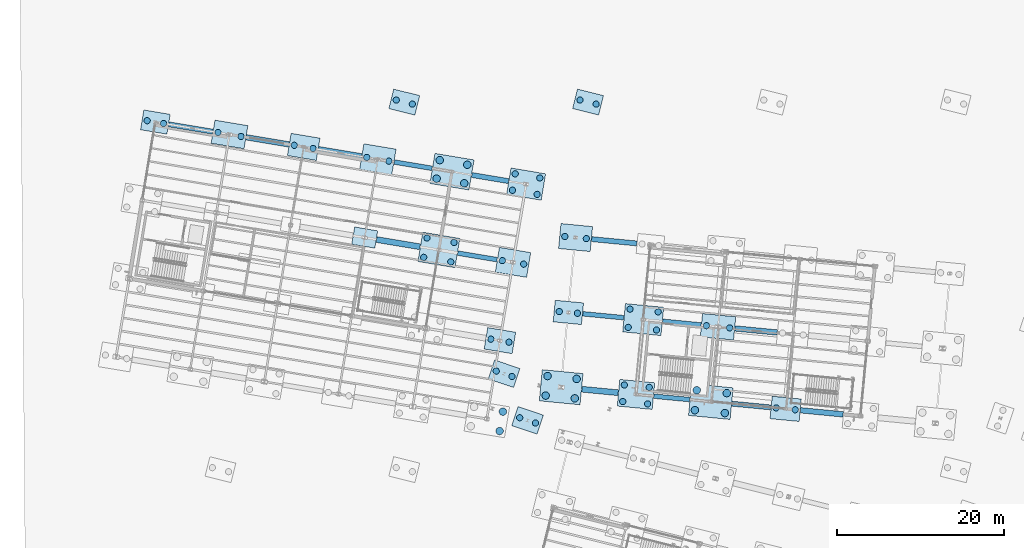
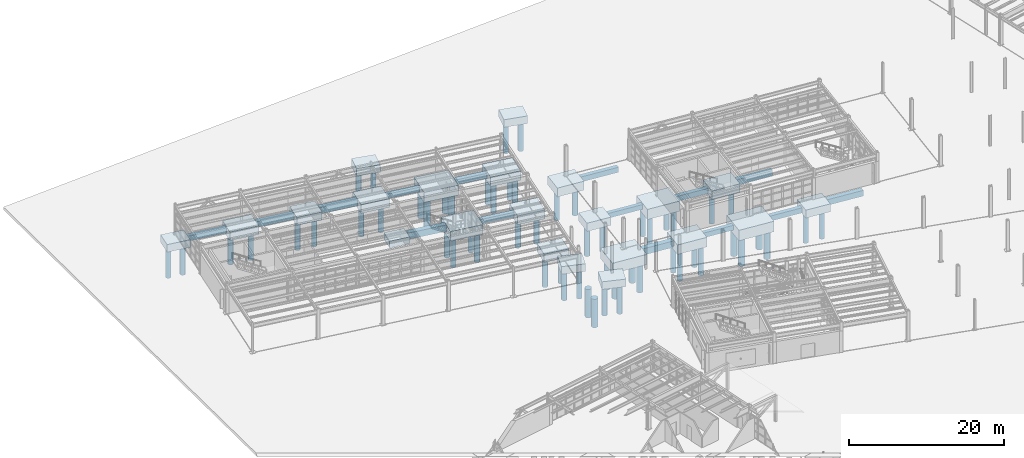
# One storey, part 5 of 108: 58 piles, 37 footings.
"""IFC4 building model written with IfcOpenShell, lengths in metres."""

from ifc_helpers import new_model, si_unit, direction, frame, origin, origin_2d, place, context, subcontext, project, spatial, rectangle, circle, extrude, material, material_profile, profile_set, type_object, element, save


model = new_model("IFC4")

# Units and contexts
model_context = context("Model", 3, precision=1e-05, world=origin(), true_north=direction((0.0, 1.0)))
body_context = subcontext(model_context, "Body", "Model", "MODEL_VIEW")
ifc_project = project(units=[si_unit("LENGTHUNIT", "METRE"), si_unit("AREAUNIT", "SQUARE_METRE"), si_unit("VOLUMEUNIT", "CUBIC_METRE"), si_unit("PLANEANGLEUNIT", "RADIAN"), si_unit("MASSUNIT", "GRAM", prefix="KILO")], contexts=[model_context])

# Site, building, storey
site_placement = place(None, origin())
site = spatial("IfcSite", under=ifc_project, at=site_placement, CompositionType="ELEMENT")
building_placement = place(site_placement, origin())
building = spatial("IfcBuilding", under=site, at=building_placement, Name="Vireo Bluff Cable Station", CompositionType="ELEMENT")
storey_placement = place(building_placement, origin())
storey = spatial("IfcBuildingStorey", under=building, at=storey_placement, Name="L00", CompositionType="ELEMENT", Elevation=0.0)

# Piles
ifc_material_1 = material(Name="Concrete f'c 45 MPa", Category="concrete")
ifc_material_profile_1 = material_profile(ifc_material_1, circle(Radius=0.375, at=origin_2d()), Name="BOREDPILE-750")
ifc_profile_set_1 = profile_set([ifc_material_profile_1], Name="Concrete f'c 45 MPa")
pile_type_1 = type_object("IfcPileType", Name="BOREDPILE-750", PredefinedType="BORED", material=ifc_profile_set_1)
for number, where, z_axis, x_axis, name in (
    (1, (58.55224609375, 76.929931640625, -1.659912109375), (0.0, 0.0, -1.0), (1.0, 0.0, 0.0), "V3 rock-socketed bored pile 149"),
    (2, (60.732177734375, 76.72021484375, -1.659912109375), (0.0, 0.0, -1.0), (1.0, 0.0, 0.0), "V3 rock-socketed bored pile 150"),
):
    element("IfcPile", number, at=place(storey_placement, frame(where, z_axis=z_axis, x_axis=x_axis)), inside=storey, type_object=pile_type_1, Name=name, PredefinedType="BORED", context=body_context, shape_type="SweptSolid", body=[
        extrude(circle(Radius=0.375, at=origin_2d()), origin(), (0.0, 0.0, 1.0), 4.840087890625),
    ])
for number, where, z_axis, x_axis, name in (
    (3, (59.2158203125, 85.90771484375, -1.760009765625), (0.0, 0.0, -1.0), (1.0, 0.0, 0.0), "V3 rock-socketed bored pile 151"),
    (4, (61.793701171875, 85.659423828125, -1.760009765625), (0.0, 0.0, -1.0), (1.0, 0.0, 0.0), "V3 rock-socketed bored pile 152"),
):
    element("IfcPile", number, at=place(storey_placement, frame(where, z_axis=z_axis, x_axis=x_axis)), inside=storey, type_object=pile_type_1, Name=name, PredefinedType="BORED", context=body_context, shape_type="SweptSolid", body=[
        extrude(circle(Radius=0.375, at=origin_2d()), origin(), (0.0, 0.0, 1.0), 4.739990234375),
    ])
for number, where, z_axis, x_axis, name in (
    (5, (66.154541015625, 66.15673828125, -1.860107421875), (0.0, 0.0, -1.0), (1.0, 0.0, 0.0), "V3 rock-socketed bored pile 153"),
    (6, (69.130859375, 65.8701171875, -1.860107421875), (0.0, 0.0, -1.0), (1.0, 0.0, 0.0), "V3 rock-socketed bored pile 154"),
    (7, (69.321533203125, 67.85107421875, -1.860107421875), (0.0, 0.0, -1.0), (1.0, 0.0, 0.0), "V3 rock-socketed bored pile 155"),
    (8, (66.345458984375, 68.1376953125, -1.860107421875), (0.0, 0.0, -1.0), (1.0, 0.0, 0.0), "V3 rock-socketed bored pile 156"),
):
    element("IfcPile", number, at=place(storey_placement, frame(where, z_axis=z_axis, x_axis=x_axis)), inside=storey, type_object=pile_type_1, Name=name, PredefinedType="BORED", context=body_context, shape_type="SweptSolid", body=[
        extrude(circle(Radius=0.375, at=origin_2d()), origin(), (0.0, 0.0, 1.0), 4.639892578125),
    ])
for number, where, z_axis, x_axis, name in (
    (9, (66.80859375, 75.034912109375, -1.9599609375), (0.0, 0.0, -1.0), (1.0, 0.0, 0.0), "V3 rock-socketed bored pile 157"),
    (10, (70.182861328125, 74.7099609375, -1.9599609375), (0.0, 0.0, -1.0), (1.0, 0.0, 0.0), "V3 rock-socketed bored pile 158"),
    (11, (70.392822265625, 76.889892578125, -1.9599609375), (0.0, 0.0, -1.0), (1.0, 0.0, 0.0), "V3 rock-socketed bored pile 159"),
    (12, (67.0185546875, 77.21484375, -1.9599609375), (0.0, 0.0, -1.0), (1.0, 0.0, 0.0), "V3 rock-socketed bored pile 160"),
):
    element("IfcPile", number, at=place(storey_placement, frame(where, z_axis=z_axis, x_axis=x_axis)), inside=storey, type_object=pile_type_1, Name=name, PredefinedType="BORED", context=body_context, shape_type="SweptSolid", body=[
        extrude(circle(Radius=0.375, at=origin_2d()), origin(), (0.0, 0.0, 1.0), 4.5400390625),
    ])
for number, where, z_axis, x_axis, name in (
    (13, (76.170654296875, 75.233642578125, -1.7099609375), (0.0, 0.0, -1.0), (1.0, 0.0, 0.0), "V3 rock-socketed bored pile 167"),
    (14, (78.94775390625, 74.966064453125, -1.7099609375), (0.0, 0.0, -1.0), (1.0, 0.0, 0.0), "V3 rock-socketed bored pile 168"),
):
    element("IfcPile", number, at=place(storey_placement, frame(where, z_axis=z_axis, x_axis=x_axis)), inside=storey, type_object=pile_type_1, Name=name, PredefinedType="BORED", context=body_context, shape_type="SweptSolid", body=[
        extrude(circle(Radius=0.375, at=origin_2d()), origin(), (0.0, 0.0, 1.0), 4.7900390625),
    ])
for number, where, z_axis, x_axis, name in (
    (15, (84.515380859375, 65.388427734375, -1.610107421875), (0.0, 0.0, -1.0), (1.0, 0.0, 0.0), "V3 rock-socketed bored pile 173"),
    (16, (86.794921875, 65.1689453125, -1.610107421875), (0.0, 0.0, -1.0), (1.0, 0.0, 0.0), "V3 rock-socketed bored pile 174"),
):
    element("IfcPile", number, at=place(storey_placement, frame(where, z_axis=z_axis, x_axis=x_axis)), inside=storey, type_object=pile_type_1, Name=name, PredefinedType="BORED", context=body_context, shape_type="SweptSolid", body=[
        extrude(circle(Radius=0.375, at=origin_2d()), origin(), (0.0, 0.0, 1.0), 4.889892578125),
    ])
for number, where, z_axis, x_axis, name in (
    (17, (9.222412109375, 99.7734375, -1.580078125), (0.0, 0.0, -1.0), (1.0, 0.0, 0.0), "V4 rock-socketed bored pile 211"),
    (18, (11.185302734375, 99.44482421875, -1.580078125), (0.0, 0.0, -1.0), (1.0, 0.0, 0.0), "V4 rock-socketed bored pile 212"),
):
    element("IfcPile", number, at=place(storey_placement, frame(where, z_axis=z_axis, x_axis=x_axis)), inside=storey, type_object=pile_type_1, Name=name, PredefinedType="BORED", context=body_context, shape_type="SweptSolid", body=[
        extrude(circle(Radius=0.375, at=origin_2d()), origin(), (0.0, 0.0, 1.0), 4.919921875),
    ])
for number, where, z_axis, x_axis, name in (
    (19, (17.70458984375, 98.35400390625, -1.72998046875), (0.0, 0.0, -1.0), (1.0, 0.0, 0.0), "V4 rock-socketed bored pile 217"),
    (20, (20.456298828125, 97.8935546875, -1.72998046875), (0.0, 0.0, -1.0), (1.0, 0.0, 0.0), "V4 rock-socketed bored pile 218"),
):
    element("IfcPile", number, at=place(storey_placement, frame(where, z_axis=z_axis, x_axis=x_axis)), inside=storey, type_object=pile_type_1, Name=name, PredefinedType="BORED", context=body_context, shape_type="SweptSolid", body=[
        extrude(circle(Radius=0.375, at=origin_2d()), origin(), (0.0, 0.0, 1.0), 4.77001953125),
    ])
for number, where, z_axis, x_axis, name in (
    (21, (26.82763671875, 96.8271484375, -1.6298828125), (0.0, 0.0, -1.0), (1.0, 0.0, 0.0), "V4 rock-socketed bored pile 223"),
    (22, (29.086181640625, 96.44921875, -1.6298828125), (0.0, 0.0, -1.0), (1.0, 0.0, 0.0), "V4 rock-socketed bored pile 224"),
):
    element("IfcPile", number, at=place(storey_placement, frame(where, z_axis=z_axis, x_axis=x_axis)), inside=storey, type_object=pile_type_1, Name=name, PredefinedType="BORED", context=body_context, shape_type="SweptSolid", body=[
        extrude(circle(Radius=0.375, at=origin_2d()), origin(), (0.0, 0.0, 1.0), 4.8701171875),
    ])
for number, where, z_axis, x_axis, name in (
    (23, (35.507080078125, 95.374755859375, -1.760009765625), (0.0, 0.0, -1.0), (1.0, 0.0, 0.0), "V4 rock-socketed bored pile 227"),
    (24, (38.16015625, 94.930908203125, -1.760009765625), (0.0, 0.0, -1.0), (1.0, 0.0, 0.0), "V4 rock-socketed bored pile 228"),
):
    element("IfcPile", number, at=place(storey_placement, frame(where, z_axis=z_axis, x_axis=x_axis)), inside=storey, type_object=pile_type_1, Name=name, PredefinedType="BORED", context=body_context, shape_type="SweptSolid", body=[
        extrude(circle(Radius=0.375, at=origin_2d()), origin(), (0.0, 0.0, 1.0), 4.739990234375),
    ])
for number, where, z_axis, x_axis, name in (
    (25, (42.32666015625, 83.415283203125, -1.89990234375), (0.0, 0.0, -1.0), (1.0, 0.0, 0.0), "V4 rock-socketed bored pile 237"),
    (26, (45.571533203125, 82.872314453125, -1.89990234375), (0.0, 0.0, -1.0), (1.0, 0.0, 0.0), "V4 rock-socketed bored pile 238"),
    (27, (45.957763671875, 85.18017578125, -1.89990234375), (0.0, 0.0, -1.0), (1.0, 0.0, 0.0), "V4 rock-socketed bored pile 239"),
    (28, (42.712890625, 85.72314453125, -1.89990234375), (0.0, 0.0, -1.0), (1.0, 0.0, 0.0), "V4 rock-socketed bored pile 240"),
):
    element("IfcPile", number, at=place(storey_placement, frame(where, z_axis=z_axis, x_axis=x_axis)), inside=storey, type_object=pile_type_1, Name=name, PredefinedType="BORED", context=body_context, shape_type="SweptSolid", body=[
        extrude(circle(Radius=0.375, at=origin_2d()), origin(), (0.0, 0.0, 1.0), 4.60009765625),
    ])
for number, where, z_axis, x_axis, name in (
    (29, (50.370849609375, 73.623291015625, -1.679931640625), (0.0, 0.0, -1.0), (1.0, 0.0, 0.0), "V4 rock-socketed bored pile 249"),
    (30, (52.53076171875, 73.261962890625, -1.679931640625), (0.0, 0.0, -1.0), (1.0, 0.0, 0.0), "V4 rock-socketed bored pile 250"),
):
    element("IfcPile", number, at=place(storey_placement, frame(where, z_axis=z_axis, x_axis=x_axis)), inside=storey, type_object=pile_type_1, Name=name, PredefinedType="BORED", context=body_context, shape_type="SweptSolid", body=[
        extrude(circle(Radius=0.375, at=origin_2d()), origin(), (0.0, 0.0, 1.0), 4.820068359375),
    ])
for number, where, z_axis, x_axis, name in (
    (31, (51.741455078125, 83.026123046875, -1.780029296875), (0.0, 0.0, -1.0), (1.0, 0.0, 0.0), "V4 rock-socketed bored pile 251"),
    (32, (54.2958984375, 82.5986328125, -1.780029296875), (0.0, 0.0, -1.0), (1.0, 0.0, 0.0), "V4 rock-socketed bored pile 252"),
):
    element("IfcPile", number, at=place(storey_placement, frame(where, z_axis=z_axis, x_axis=x_axis)), inside=storey, type_object=pile_type_1, Name=name, PredefinedType="BORED", context=body_context, shape_type="SweptSolid", body=[
        extrude(circle(Radius=0.375, at=origin_2d()), origin(), (0.0, 0.0, 1.0), 4.719970703125),
    ])
for number, where, z_axis, x_axis, name in (
    (33, (52.947998046875, 91.447509765625, -1.8798828125), (0.0, 0.0, -1.0), (1.0, 0.0, 0.0), "V4 rock-socketed bored pile 253"),
    (34, (55.89697265625, 90.953857421875, -1.8798828125), (0.0, 0.0, -1.0), (1.0, 0.0, 0.0), "V4 rock-socketed bored pile 254"),
    (35, (56.225341796875, 92.91650390625, -1.8798828125), (0.0, 0.0, -1.0), (1.0, 0.0, 0.0), "V4 rock-socketed bored pile 255"),
    (36, (53.2763671875, 93.41015625, -1.8798828125), (0.0, 0.0, -1.0), (1.0, 0.0, 0.0), "V4 rock-socketed bored pile 256"),
):
    element("IfcPile", number, at=place(storey_placement, frame(where, z_axis=z_axis, x_axis=x_axis)), inside=storey, type_object=pile_type_1, Name=name, PredefinedType="BORED", context=body_context, shape_type="SweptSolid", body=[
        extrude(circle(Radius=0.375, at=origin_2d()), origin(), (0.0, 0.0, 1.0), 4.6201171875),
    ])
for number, where, z_axis, x_axis, name in (
    (37, (39.03466796875, 102.24072265625, -1.530029296875), (0.0, 0.0, -1.0), (1.0, 0.0, 0.0), "PLAZA rock-socketed bored pile 391"),
    (38, (40.96533203125, 101.75927734375, -1.530029296875), (0.0, 0.0, -1.0), (1.0, 0.0, 0.0), "PLAZA rock-socketed bored pile 392"),
    (39, (61.03466796875, 102.24072265625, -1.530029296875), (0.0, 0.0, -1.0), (1.0, 0.0, 0.0), "PLAZA rock-socketed bored pile 395"),
    (40, (62.96533203125, 101.75927734375, -1.530029296875), (0.0, 0.0, -1.0), (1.0, 0.0, 0.0), "PLAZA rock-socketed bored pile 396"),
    (41, (51.005615234375, 69.794921875, -1.530029296875), (0.0, 0.0, -1.0), (1.0, 0.0, 0.0), "CABIN-TRANSFER rock-socketed bored pile 423"),
    (42, (52.892333984375, 69.162353515625, -1.530029296875), (0.0, 0.0, -1.0), (1.0, 0.0, 0.0), "CABIN-TRANSFER rock-socketed bored pile 424"),
    (43, (53.816162109375, 64.211669921875, -1.530029296875), (0.0, 0.0, -1.0), (1.0, 0.0, 0.0), "CABIN-TRANSFER rock-socketed bored pile 425"),
    (44, (55.702880859375, 63.578857421875, -1.530029296875), (0.0, 0.0, -1.0), (1.0, 0.0, 0.0), "CABIN-TRANSFER rock-socketed bored pile 426"),
):
    element("IfcPile", number, at=place(storey_placement, frame(where, z_axis=z_axis, x_axis=x_axis)), inside=storey, type_object=pile_type_1, Name=name, PredefinedType="BORED", context=body_context, shape_type="SweptSolid", body=[
        extrude(circle(Radius=0.375, at=origin_2d()), origin(), (0.0, 0.0, 1.0), 4.969970703125),
    ])
ifc_material_profile_2 = material_profile(ifc_material_1, circle(Radius=0.449951171875, at=origin_2d()), Name="BOREDPILE-900")
ifc_profile_set_2 = profile_set([ifc_material_profile_2], Name="Concrete f'c 45 MPa")
pile_type_2 = type_object("IfcPileType", Name="BOREDPILE-900", PredefinedType="BORED", material=ifc_profile_set_2)
for number, where, z_axis, x_axis, name in (
    (45, (56.925048828125, 66.86474609375, -1.97998046875), (0.0, 0.0, -1.0), (1.0, 0.0, 0.0), "V3 rock-socketed bored pile 145"),
    (46, (60.408935546875, 66.529052734375, -1.97998046875), (0.0, 0.0, -1.0), (1.0, 0.0, 0.0), "V3 rock-socketed bored pile 146"),
    (47, (60.634033203125, 68.868408203125, -1.97998046875), (0.0, 0.0, -1.0), (1.0, 0.0, 0.0), "V3 rock-socketed bored pile 147"),
    (48, (57.150146484375, 69.203857421875, -1.97998046875), (0.0, 0.0, -1.0), (1.0, 0.0, 0.0), "V3 rock-socketed bored pile 148"),
):
    element("IfcPile", number, at=place(storey_placement, frame(where, z_axis=z_axis, x_axis=x_axis)), inside=storey, type_object=pile_type_2, Name=name, PredefinedType="BORED", context=body_context, shape_type="SweptSolid", body=[
        extrude(circle(Radius=0.449951171875, at=origin_2d()), origin(), (0.0, 0.0, 1.0), 4.52001953125),
    ])
for number, where, z_axis, x_axis, name in (
    (49, (74.7900390625, 65.119384765625, -2.010009765625), (0.0, 0.0, -1.0), (1.0, 0.0, 0.0), "V3 rock-socketed bored pile 163"),
    (50, (78.373291015625, 64.774169921875, -2.010009765625), (0.0, 0.0, -1.0), (1.0, 0.0, 0.0), "V3 rock-socketed bored pile 164"),
    (51, (78.603271484375, 67.163330078125, -2.010009765625), (0.0, 0.0, -1.0), (1.0, 0.0, 0.0), "V3 rock-socketed bored pile 165"),
    (52, (75.02001953125, 67.50830078125, -2.010009765625), (0.0, 0.0, -1.0), (1.0, 0.0, 0.0), "V3 rock-socketed bored pile 166"),
):
    element("IfcPile", number, at=place(storey_placement, frame(where, z_axis=z_axis, x_axis=x_axis)), inside=storey, type_object=pile_type_2, Name=name, PredefinedType="BORED", context=body_context, shape_type="SweptSolid", body=[
        extrude(circle(Radius=0.449951171875, at=origin_2d()), origin(), (0.0, 0.0, 1.0), 4.489990234375),
    ])
for number, where, z_axis, x_axis, name in (
    (53, (43.872314453125, 92.834228515625, -1.9599609375), (0.0, 0.0, -1.0), (1.0, 0.0, 0.0), "V4 rock-socketed bored pile 241"),
    (54, (47.176513671875, 92.281494140625, -1.9599609375), (0.0, 0.0, -1.0), (1.0, 0.0, 0.0), "V4 rock-socketed bored pile 242"),
    (55, (47.5478515625, 94.50048828125, -1.9599609375), (0.0, 0.0, -1.0), (1.0, 0.0, 0.0), "V4 rock-socketed bored pile 243"),
    (56, (44.243896484375, 95.053466796875, -1.9599609375), (0.0, 0.0, -1.0), (1.0, 0.0, 0.0), "V4 rock-socketed bored pile 244"),
):
    element("IfcPile", number, at=place(storey_placement, frame(where, z_axis=z_axis, x_axis=x_axis)), inside=storey, type_object=pile_type_2, Name=name, PredefinedType="BORED", context=body_context, shape_type="SweptSolid", body=[
        extrude(circle(Radius=0.449951171875, at=origin_2d()), origin(), (0.0, 0.0, 1.0), 4.5400390625),
    ])
for number, where, z_axis, x_axis, name in (
    (57, (51.4150390625, 62.625244140625, -2.0), (0.0, 0.0, -1.0), (1.0, 0.0, 0.0), "V4 rock-socketed bored pile 246"),
    (58, (51.802734375, 64.94287109375, -2.0), (0.0, 0.0, -1.0), (1.0, 0.0, 0.0), "V4 rock-socketed bored pile 247"),
):
    element("IfcPile", number, at=place(storey_placement, frame(where, z_axis=z_axis, x_axis=x_axis)), inside=storey, type_object=pile_type_2, Name=name, PredefinedType="BORED", context=body_context, shape_type="SweptSolid", body=[
        extrude(circle(Radius=0.449951171875, at=origin_2d()), origin(), (0.0, 0.0, 1.0), 4.5),
    ])

# Footings
ifc_material_2 = material(Name="Concrete f'c 40 MPa", Category="concrete")
ifc_material_profile_3 = material_profile(ifc_material_2, rectangle(XDim=0.550048828125, YDim=0.75, at=origin_2d()), Name="GRADEBM-550X750")
ifc_profile_set_3 = profile_set([ifc_material_profile_3], Name="Concrete f'c 40 MPa")
footing_type_1 = type_object("IfcFootingType", Name="GRADEBM-550X750", PredefinedType="FOOTING_BEAM", material=ifc_profile_set_3)
footing_1_placement = place(storey_placement, frame((69.8681640625, 66.798828125, -1.080078125), z_axis=(0.995396388657, -0.095843776267, 0.0), x_axis=(0.095843776267, 0.995396388657, 0.0)))
element("IfcFooting", 59, at=footing_1_placement, inside=storey, type_object=footing_type_1, Name="V3 foundation grade beam 40", PredefinedType="FOOTING_BEAM", context=body_context, shape_type="SweptSolid", body=[
    extrude(rectangle(XDim=0.550048828125, YDim=0.75, at=origin_2d()), origin(), (0.0, 0.0, 1.0), 4.320068359375),
])
footing_2_placement = place(storey_placement, frame((61.3740234375, 76.658203125, -0.97998046875), z_axis=(0.995398841055, -0.095818303194, 0.0), x_axis=(0.095818303194, 0.995398841055, 0.0)))
element("IfcFooting", 60, at=footing_2_placement, inside=storey, type_object=footing_type_1, Name="V3 foundation grade beam 44", PredefinedType="FOOTING_BEAM", context=body_context, shape_type="SweptSolid", body=[
    extrude(rectangle(XDim=0.550048828125, YDim=0.75, at=origin_2d()), origin(), (0.0, 0.0, 1.0), 4.920166015625),
])
footing_3_placement = place(storey_placement, frame((46.40087890625, 83.919677734375, -1.110107421875), z_axis=(0.986291367137, -0.165013148295, 0.0), x_axis=(0.165013148295, 0.986291367137, 0.0)))
element("IfcFooting", 61, at=footing_3_placement, inside=storey, type_object=footing_type_1, Name="V4 foundation grade beam 68", PredefinedType="FOOTING_BEAM", context=body_context, shape_type="SweptSolid", body=[
    extrude(rectangle(XDim=0.550048828125, YDim=0.75, at=origin_2d()), origin(), (0.0, 0.0, 1.0), 4.77001953125),
])
footing_4_placement = place(storey_placement, frame((38.79638671875, 94.824462890625, -1.0400390625), z_axis=(0.986280246033, -0.165079605905, 0.0), x_axis=(0.165079605905, 0.986280246033, 0.0)))
element("IfcFooting", 62, at=footing_4_placement, inside=storey, type_object=footing_type_1, Name="V4 foundation grade beam 72", PredefinedType="FOOTING_BEAM", context=body_context, shape_type="SweptSolid", body=[
    extrude(rectangle(XDim=0.550048828125, YDim=0.75, at=origin_2d()), origin(), (0.0, 0.0, 1.0), 4.594970703125),
])
ifc_material_profile_4 = material_profile(ifc_material_2, rectangle(XDim=0.60009765625, YDim=0.800048828125, at=origin_2d()), Name="GRADEBM-600X800")
ifc_profile_set_4 = profile_set([ifc_material_profile_4], Name="Concrete f'c 40 MPa")
footing_type_2 = type_object("IfcFootingType", Name="GRADEBM-600X800", PredefinedType="FOOTING_BEAM", material=ifc_profile_set_4)
footing_5_placement = place(storey_placement, frame((79.224853515625, 65.897705078125, -1.155029296875), z_axis=(0.995398391408, -0.095822974185, 0.0), x_axis=(0.095822974185, 0.995398391408, 0.0)))
element("IfcFooting", 63, at=footing_5_placement, inside=storey, type_object=footing_type_2, Name="V3 foundation grade beam 41", PredefinedType="FOOTING_BEAM", context=body_context, shape_type="SweptSolid", body=[
    extrude(rectangle(XDim=0.60009765625, YDim=0.800048828125, at=origin_2d()), origin(), (0.0, 0.0, 1.0), 4.670166015625),
])
footing_6_placement = place(storey_placement, frame((70.929931640625, 75.73828125, -1.1298828125), z_axis=(0.99539468832, -0.09586143367, 0.0), x_axis=(0.09586143367, 0.99539468832, 0.0)))
element("IfcFooting", 64, at=footing_6_placement, inside=storey, type_object=footing_type_2, Name="V3 foundation grade beam 45", PredefinedType="FOOTING_BEAM", context=body_context, shape_type="SweptSolid", body=[
    extrude(rectangle(XDim=0.60009765625, YDim=0.800048828125, at=origin_2d()), origin(), (0.0, 0.0, 1.0), 4.619873046875),
])
footing_7_placement = place(storey_placement, frame((62.435791015625, 85.59765625, -1.030029296875), z_axis=(0.99539531901, -0.095854884553, 0.0), x_axis=(0.095854884553, 0.99539531901, 0.0)))
element("IfcFooting", 65, at=footing_7_placement, inside=storey, type_object=footing_type_2, Name="V3 foundation grade beam 49", PredefinedType="FOOTING_BEAM", context=body_context, shape_type="SweptSolid", body=[
    extrude(rectangle(XDim=0.60009765625, YDim=0.800048828125, at=origin_2d()), origin(), (0.0, 0.0, 1.0), 5.419921875),
])
footing_8_placement = place(storey_placement, frame((11.8212890625, 99.33837890625, -0.949951171875), z_axis=(0.986289540765, -0.165024064237, 0.0), x_axis=(0.165024064237, 0.986289540765, 0.0)))
element("IfcFooting", 66, at=footing_8_placement, inside=storey, type_object=footing_type_2, Name="V4 foundation grade beam 69", PredefinedType="FOOTING_BEAM", context=body_context, shape_type="SweptSolid", body=[
    extrude(rectangle(XDim=0.60009765625, YDim=0.800048828125, at=origin_2d()), origin(), (0.0, 0.0, 1.0), 5.320068359375),
])
footing_9_placement = place(storey_placement, frame((48.092041015625, 93.268798828125, -1.139892578125), z_axis=(0.986285344318, -0.165049142935, 0.0), x_axis=(0.165049142935, 0.986285344318, 0.0)))
element("IfcFooting", 67, at=footing_9_placement, inside=storey, type_object=footing_type_2, Name="V4 foundation grade beam 73", PredefinedType="FOOTING_BEAM", context=body_context, shape_type="SweptSolid", body=[
    extrude(rectangle(XDim=0.60009765625, YDim=0.800048828125, at=origin_2d()), origin(), (0.0, 0.0, 1.0), 4.445068359375),
])
ifc_material_profile_5 = material_profile(ifc_material_2, rectangle(XDim=0.64990234375, YDim=0.89990234375, at=origin_2d()), Name="GRADEBM-650X900")
ifc_profile_set_5 = profile_set([ifc_material_profile_5], Name="Concrete f'c 40 MPa")
footing_type_3 = type_object("IfcFootingType", Name="GRADEBM-650X900", PredefinedType="FOOTING_BEAM", material=ifc_profile_set_5)
footing_10_placement = place(storey_placement, frame((87.43701171875, 65.107177734375, -0.955078125), z_axis=(0.995396352499, -0.095844151786, 0.0), x_axis=(0.095844151786, 0.995396352499, 0.0)))
element("IfcFooting", 68, at=footing_10_placement, inside=storey, type_object=footing_type_3, Name="V3 foundation grade beam 42", PredefinedType="FOOTING_BEAM", context=body_context, shape_type="SweptSolid", body=[
    extrude(rectangle(XDim=0.64990234375, YDim=0.89990234375, at=origin_2d()), origin(), (0.0, 0.0, 1.0), 5.1201171875),
])
footing_11_placement = place(storey_placement, frame((79.58984375, 74.904296875, -1.0048828125), z_axis=(0.995397994112, -0.09582710117, 0.0), x_axis=(0.09582710117, 0.995397994112, 0.0)))
element("IfcFooting", 69, at=footing_11_placement, inside=storey, type_object=footing_type_3, Name="V3 foundation grade beam 46", PredefinedType="FOOTING_BEAM", context=body_context, shape_type="SweptSolid", body=[
    extrude(rectangle(XDim=0.64990234375, YDim=0.89990234375, at=origin_2d()), origin(), (0.0, 0.0, 1.0), 5.070068359375),
])
footing_12_placement = place(storey_placement, frame((21.092529296875, 97.787109375, -1.02490234375), z_axis=(0.986286506544, -0.165042197662, 0.0), x_axis=(0.165042197662, 0.986286506544, 0.0)))
element("IfcFooting", 70, at=footing_12_placement, inside=storey, type_object=footing_type_3, Name="V4 foundation grade beam 70", PredefinedType="FOOTING_BEAM", context=body_context, shape_type="SweptSolid", body=[
    extrude(rectangle(XDim=0.64990234375, YDim=0.89990234375, at=origin_2d()), origin(), (0.0, 0.0, 1.0), 5.169921875),
])
ifc_material_profile_6 = material_profile(ifc_material_2, rectangle(XDim=0.699951171875, YDim=1.0, at=origin_2d()), Name="GRADEBM-700X1000")
ifc_profile_set_6 = profile_set([ifc_material_profile_6], Name="Concrete f'c 40 MPa")
footing_type_4 = type_object("IfcFootingType", Name="GRADEBM-700X1000", PredefinedType="FOOTING_BEAM", material=ifc_profile_set_6)
footing_13_placement = place(storey_placement, frame((61.258056640625, 67.6279296875, -1.139892578125), z_axis=(0.995393969997, -0.095868892211, 0.0), x_axis=(0.095868892211, 0.995393969997, 0.0)))
element("IfcFooting", 71, at=footing_13_placement, inside=storey, type_object=footing_type_4, Name="V3 foundation grade beam 39", PredefinedType="FOOTING_BEAM", context=body_context, shape_type="SweptSolid", body=[
    extrude(rectangle(XDim=0.699951171875, YDim=1.0, at=origin_2d()), origin(), (0.0, 0.0, 1.0), 4.369873046875),
])
footing_14_placement = place(storey_placement, frame((36.685791015625, 85.54541015625, -0.875), z_axis=(0.986291061949, -0.165014972412, 0.0), x_axis=(0.165014972412, 0.986291061949, 0.0)))
element("IfcFooting", 72, at=footing_14_placement, inside=storey, type_object=footing_type_4, Name="V4 foundation grade beam 67", PredefinedType="FOOTING_BEAM", context=body_context, shape_type="SweptSolid", body=[
    extrude(rectangle(XDim=0.699951171875, YDim=1.0, at=origin_2d()), origin(), (0.0, 0.0, 1.0), 5.27001953125),
])
footing_15_placement = place(storey_placement, frame((29.722412109375, 96.3427734375, -0.97509765625), z_axis=(0.986284999617, -0.165051202753, 0.0), x_axis=(0.165051202753, 0.986284999617, 0.0)))
element("IfcFooting", 73, at=footing_15_placement, inside=storey, type_object=footing_type_4, Name="V4 foundation grade beam 71", PredefinedType="FOOTING_BEAM", context=body_context, shape_type="SweptSolid", body=[
    extrude(rectangle(XDim=0.699951171875, YDim=1.0, at=origin_2d()), origin(), (0.0, 0.0, 1.0), 5.219970703125),
])
footing_type_5 = type_object("IfcFootingType", Name="PADFTG-280X210X105", PredefinedType="PAD_FOOTING", material=ifc_material_2)
footing_16_placement = place(storey_placement, frame((35.265625, 85.783203125, -1.5498046875), z_axis=(0.0, 0.0, 1.0), x_axis=(0.986285601537, -0.165047605861, 0.0)))
element("IfcFooting", 74, at=footing_16_placement, inside=storey, type_object=footing_type_5, Name="V4 interior rock-bench pad footing 6", PredefinedType="PAD_FOOTING", context=body_context, shape_type="SweptSolid", body=[
    extrude(rectangle(XDim=2.800048828125, YDim=2.10009765625, at=origin_2d()), origin(), (0.0, 0.0, 1.0), 1.050048828125),
])
footing_type_6 = type_object("IfcFootingType", Name="PCAP-320X240X120", PredefinedType="PILE_CAP", material=ifc_material_2)
for number, where, z_axis, x_axis, name in (
    (75, (10.203857421875, 99.609130859375, -1.7001953125), (0.0, 0.0, 1.0), (0.986285601537, -0.165047605861, 0.0), "V4 pile cap 68"),
    (76, (40.0, 102.0, -1.64990234375), (0.0, 0.0, 1.0), (0.970295726276, -0.2419218956, 0.0), "PLAZA pile cap 127"),
    (77, (62.0, 102.0, -1.64990234375), (0.0, 0.0, 1.0), (0.970295726276, -0.2419218956, 0.0), "PLAZA pile cap 129"),
    (78, (51.948974609375, 69.478515625, -1.64990234375), (0.0, 0.0, 1.0), (0.948104710889, -0.317958263284, 0.0), "CABIN-TRANSFER pile cap 141"),
    (79, (54.759521484375, 63.895263671875, -1.64990234375), (0.0, 0.0, 1.0), (0.948104710889, -0.317958263284, 0.0), "CABIN-TRANSFER pile cap 142"),
):
    element("IfcFooting", number, at=place(storey_placement, frame(where, z_axis=z_axis, x_axis=x_axis)), inside=storey, type_object=footing_type_6, Name=name, PredefinedType="PILE_CAP", context=body_context, shape_type="SweptSolid", body=[
        extrude(rectangle(XDim=3.199951171875, YDim=2.39990234375, at=origin_2d()), origin(), (0.0, 0.0, 1.0), 1.199951171875),
    ])
footing_type_7 = type_object("IfcFootingType", Name="PCAP-340X260X130", PredefinedType="PILE_CAP", material=ifc_material_2)
for number, where, z_axis, x_axis, name in (
    (80, (59.64208984375, 76.824951171875, -1.77978515625), (0.0, 0.0, 1.0), (0.995396198367, -0.09584575252, 0.0), "V3 pile cap 48"),
    (81, (51.45068359375, 73.442626953125, -1.7998046875), (0.0, 0.0, 1.0), (0.986285601537, -0.165047605861, 0.0), "V4 pile cap 80"),
):
    element("IfcFooting", number, at=place(storey_placement, frame(where, z_axis=z_axis, x_axis=x_axis)), inside=storey, type_object=footing_type_7, Name=name, PredefinedType="PILE_CAP", context=body_context, shape_type="SweptSolid", body=[
        extrude(rectangle(XDim=3.39990234375, YDim=2.60009765625, at=origin_2d()), origin(), (0.0, 0.0, 1.0), 1.300048828125),
    ])
footing_type_8 = type_object("IfcFootingType", Name="PCAP-350X270X125", PredefinedType="PILE_CAP", material=ifc_material_2)
for number, where, z_axis, x_axis, name in (
    (82, (85.6552734375, 65.278564453125, -1.72998046875), (0.0, 0.0, 1.0), (0.995396198367, -0.09584575252, 0.0), "V3 pile cap 56"),
    (83, (27.95703125, 96.63818359375, -1.75), (0.0, 0.0, 1.0), (0.986285601537, -0.165047605861, 0.0), "V4 pile cap 72"),
):
    element("IfcFooting", number, at=place(storey_placement, frame(where, z_axis=z_axis, x_axis=x_axis)), inside=storey, type_object=footing_type_8, Name=name, PredefinedType="PILE_CAP", context=body_context, shape_type="SweptSolid", body=[
        extrude(rectangle(XDim=3.5, YDim=2.699951171875, at=origin_2d()), origin(), (0.0, 0.0, 1.0), 1.25),
    ])
footing_type_9 = type_object("IfcFootingType", Name="PCAP-380X300X140", PredefinedType="PILE_CAP", material=ifc_material_2)
for number, where, z_axis, x_axis, name in (
    (84, (60.504638671875, 85.78369140625, -1.8798828125), (0.0, 0.0, 1.0), (0.995396198367, -0.09584575252, 0.0), "V3 pile cap 49"),
    (85, (53.018798828125, 82.812255859375, -1.89990234375), (0.0, 0.0, 1.0), (0.986285601537, -0.165047605861, 0.0), "V4 pile cap 81"),
):
    element("IfcFooting", number, at=place(storey_placement, frame(where, z_axis=z_axis, x_axis=x_axis)), inside=storey, type_object=footing_type_9, Name=name, PredefinedType="PILE_CAP", context=body_context, shape_type="SweptSolid", body=[
        extrude(rectangle(XDim=3.800048828125, YDim=3.0, at=origin_2d()), origin(), (0.0, 0.0, 1.0), 1.39990234375),
    ])
footing_type_10 = type_object("IfcFootingType", Name="PCAP-390X310X138", PredefinedType="PILE_CAP", material=ifc_material_2)
footing_17_placement = place(storey_placement, frame((36.83349609375, 95.15283203125, -1.8798828125), z_axis=(0.0, 0.0, 1.0), x_axis=(0.986285601537, -0.165047605861, 0.0)))
element("IfcFooting", 86, at=footing_17_placement, inside=storey, type_object=footing_type_10, Name="V4 pile cap 74", PredefinedType="PILE_CAP", context=body_context, shape_type="SweptSolid", body=[
    extrude(rectangle(XDim=3.89990234375, YDim=3.10009765625, at=origin_2d()), origin(), (0.0, 0.0, 1.0), 1.3798828125),
])
footing_type_11 = type_object("IfcFootingType", Name="PCAP-400X280X135", PredefinedType="PILE_CAP", material=ifc_material_2)
for number, where, z_axis, x_axis, name in (
    (87, (77.559326171875, 75.099853515625, -1.830078125), (0.0, 0.0, 1.0), (0.995396198367, -0.09584575252, 0.0), "V3 pile cap 54"),
    (88, (19.080322265625, 98.123779296875, -1.85009765625), (0.0, 0.0, 1.0), (0.986285601537, -0.165047605861, 0.0), "V4 pile cap 70"),
):
    element("IfcFooting", number, at=place(storey_placement, frame(where, z_axis=z_axis, x_axis=x_axis)), inside=storey, type_object=footing_type_11, Name=name, PredefinedType="PILE_CAP", context=body_context, shape_type="SweptSolid", body=[
        extrude(rectangle(XDim=4.0, YDim=2.800048828125, at=origin_2d()), origin(), (0.0, 0.0, 1.0), 1.35009765625),
    ])
footing_type_12 = type_object("IfcFootingType", Name="PCAP-420X320X150", PredefinedType="PILE_CAP", material=ifc_material_2)
for number, where, z_axis, x_axis, name in (
    (89, (67.738037109375, 67.00390625, -1.97998046875), (0.0, 0.0, 1.0), (0.995396198367, -0.09584575252, 0.0), "V3 pile cap 50"),
    (90, (54.586669921875, 92.181884765625, -2.0), (0.0, 0.0, 1.0), (0.986285601537, -0.165047605861, 0.0), "V4 pile cap 82"),
):
    element("IfcFooting", number, at=place(storey_placement, frame(where, z_axis=z_axis, x_axis=x_axis)), inside=storey, type_object=footing_type_12, Name=name, PredefinedType="PILE_CAP", context=body_context, shape_type="SweptSolid", body=[
        extrude(rectangle(XDim=4.199951171875, YDim=3.199951171875, at=origin_2d()), origin(), (0.0, 0.0, 1.0), 1.5),
    ])
footing_type_13 = type_object("IfcFootingType", Name="PCAP-450X355X152", PredefinedType="PILE_CAP", material=ifc_material_2)
footing_18_placement = place(storey_placement, frame((44.14208984375, 84.297607421875, -2.02001953125), z_axis=(0.0, 0.0, 1.0), x_axis=(0.986285601537, -0.165047605861, 0.0)))
element("IfcFooting", 91, at=footing_18_placement, inside=storey, type_object=footing_type_13, Name="V4 pile cap 77", PredefinedType="PILE_CAP", context=body_context, shape_type="SweptSolid", body=[
    extrude(rectangle(XDim=4.5, YDim=3.550048828125, at=origin_2d()), origin(), (0.0, 0.0, 1.0), 1.52001953125),
])
footing_type_14 = type_object("IfcFootingType", Name="PCAP-459X340X160", PredefinedType="PILE_CAP", material=ifc_material_2)
footing_19_placement = place(storey_placement, frame((68.6005859375, 75.96240234375, -2.080078125), z_axis=(0.0, 0.0, 1.0), x_axis=(0.995396198367, -0.09584575252, 0.0)))
element("IfcFooting", 92, at=footing_19_placement, inside=storey, type_object=footing_type_14, Name="V3 pile cap 51", PredefinedType="PILE_CAP", context=body_context, shape_type="SweptSolid", body=[
    extrude(rectangle(XDim=4.60009765625, YDim=3.39990234375, at=origin_2d()), origin(), (0.0, 0.0, 1.0), 1.60009765625),
])
footing_type_15 = type_object("IfcFootingType", Name="PCAP-475X365X158", PredefinedType="PILE_CAP", material=ifc_material_2)
footing_20_placement = place(storey_placement, frame((45.710205078125, 93.66748046875, -2.080078125), z_axis=(0.0, 0.0, 1.0), x_axis=(0.986285601537, -0.165047605861, 0.0)))
element("IfcFooting", 93, at=footing_20_placement, inside=storey, type_object=footing_type_15, Name="V4 pile cap 78", PredefinedType="PILE_CAP", context=body_context, shape_type="SweptSolid", body=[
    extrude(rectangle(XDim=4.75, YDim=3.64990234375, at=origin_2d()), origin(), (0.0, 0.0, 1.0), 1.580078125),
])
footing_type_16 = type_object("IfcFootingType", Name="PCAP-490X375X162", PredefinedType="PILE_CAP", material=ifc_material_2)
footing_21_placement = place(storey_placement, frame((58.779541015625, 67.866455078125, -2.10009765625), z_axis=(0.0, 0.0, 1.0), x_axis=(0.995396198367, -0.09584575252, 0.0)))
element("IfcFooting", 94, at=footing_21_placement, inside=storey, type_object=footing_type_16, Name="V3 pile cap 47", PredefinedType="PILE_CAP", context=body_context, shape_type="SweptSolid", body=[
    extrude(rectangle(XDim=4.89990234375, YDim=3.75, at=origin_2d()), origin(), (0.0, 0.0, 1.0), 1.6201171875),
])
footing_type_17 = type_object("IfcFootingType", Name="PCAP-500X380X165", PredefinedType="PILE_CAP", material=ifc_material_2)
footing_22_placement = place(storey_placement, frame((76.69677734375, 66.141357421875, -2.1298828125), z_axis=(0.0, 0.0, 1.0), x_axis=(0.995396198367, -0.09584575252, 0.0)))
element("IfcFooting", 95, at=footing_22_placement, inside=storey, type_object=footing_type_17, Name="V3 pile cap 53", PredefinedType="PILE_CAP", context=body_context, shape_type="SweptSolid", body=[
    extrude(rectangle(XDim=5.0, YDim=3.800048828125, at=origin_2d()), origin(), (0.0, 0.0, 1.0), 1.64990234375),
])

save(model, "model.ifc")
